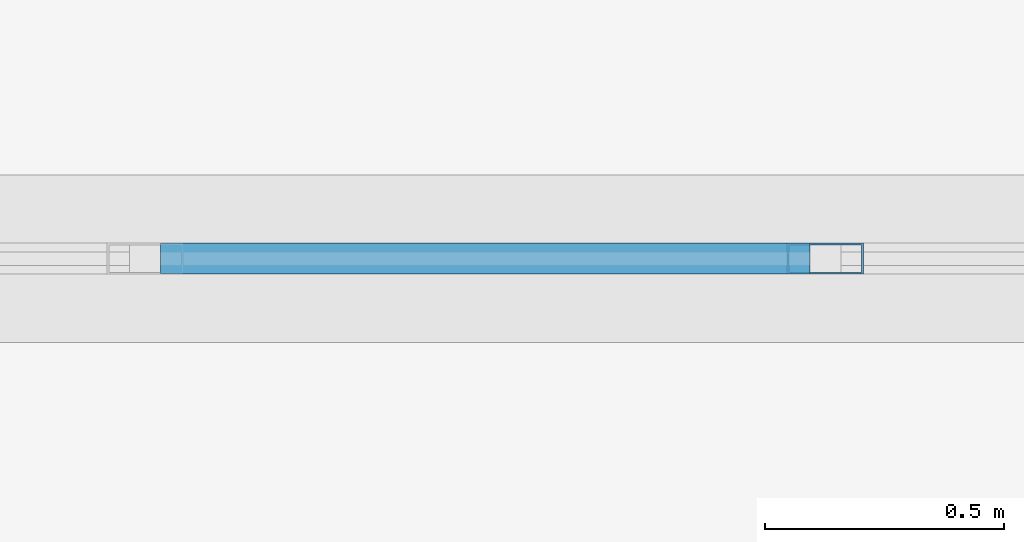
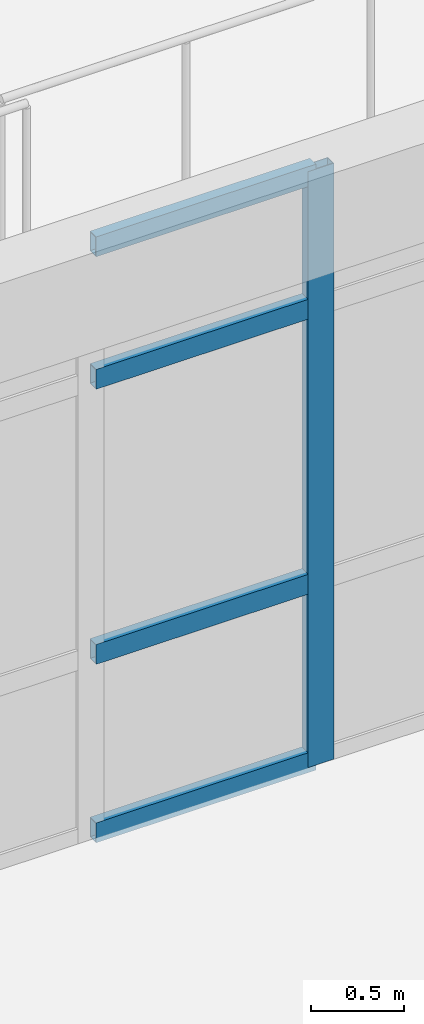
# One storey, part 25 of 83: 5 members, 1 element without a shape of its own.
"""IFC4 building model written with IfcOpenShell, lengths in metres."""

from ifc_helpers import new_model, si_unit, direction, frame, origin, origin_2d, place, context, subcontext, project, spatial, hollow_rectangle, extrude, material, layer, layer_set, material_profile, profile_set, type_object, element, aggregate, save


model = new_model("IFC4")

# Units and contexts
model_context = context("Model", 3, precision=1e-05, world=origin(), true_north=direction((0.0, 1.0)))
body_context = subcontext(model_context, "Body", "Model", "MODEL_VIEW")
ifc_project = project(units=[si_unit("LENGTHUNIT", "METRE"), si_unit("AREAUNIT", "SQUARE_METRE"), si_unit("VOLUMEUNIT", "CUBIC_METRE"), si_unit("PLANEANGLEUNIT", "RADIAN"), si_unit("MASSUNIT", "GRAM", prefix="KILO")], contexts=[model_context])

# Site, building, storey
site_placement = place(None, origin())
site = spatial("IfcSite", under=ifc_project, at=site_placement, CompositionType="ELEMENT")
building_placement = place(site_placement, origin())
building = spatial("IfcBuilding", under=site, at=building_placement, Name="Pandanus Reach Market Hall", CompositionType="ELEMENT")
storey_placement = place(building_placement, frame((0.0, 0.0, 10.199951171875)))
storey = spatial("IfcBuildingStorey", under=building, at=storey_placement, Name="L02", CompositionType="ELEMENT", Elevation=10.199951171875)

# Curtain wall, members
ifc_material_1 = material(Name="Bronze anodised aluminium and low-E glass", Category="aluminium")
ifc_layer = layer(ifc_material_1, 0.159912109375, Name="CW-30")
ifc_layer_set = layer_set([ifc_layer], Name="Bronze anodised aluminium and low-E glass")
curtain_wall_type = type_object("IfcCurtainWallType", Name="CW-30", PredefinedType="NOTDEFINED", material=ifc_layer_set)
curtain_wall_placement = place(storey_placement, origin())
curtain_wall = element("IfcCurtainWall", 1, at=curtain_wall_placement, inside=storey, type_object=curtain_wall_type, Name="Glazed curtain wall CW-30 CW-0100", PredefinedType="NOTDEFINED")
ifc_material_2 = material(Name="Bronze anodised aluminium", Category="aluminium")
ifc_material_profile_1 = material_profile(ifc_material_2, hollow_rectangle(XDim=0.06494140625, YDim=0.159912109375, WallThickness=0.00390625, at=origin_2d()), Name="ALU65x160", Category="LoadBearing")
ifc_profile_set_1 = profile_set([ifc_material_profile_1], Name="Bronze anodised aluminium")
member_type_1 = type_object("IfcMemberType", Name="CW-M1", PredefinedType="MULLION", material=ifc_profile_set_1)
member_1_placement = place(storey_placement, frame((159.14990234375, 19.199951171875, 0.0), z_axis=(0.0, 0.0, 1.0), x_axis=(0.0, 1.0, 0.0)))
member_1 = element("IfcMember", 2, at=member_1_placement, type_object=member_type_1, Name="CW-30 mullion 3", PredefinedType="MULLION", context=body_context, shape_type="SweptSolid", body=[
    extrude(hollow_rectangle(XDim=0.06494140625, YDim=0.159912109375, WallThickness=0.00390625, at=origin_2d()), origin(), (0.0, 0.0, 1.0), 3.900146484375),
])
ifc_material_profile_2 = material_profile(ifc_material_2, hollow_rectangle(XDim=0.06494140625, YDim=0.1298828125, WallThickness=0.00390625, at=origin_2d()), Name="ALU65x130", Category="LoadBearing")
ifc_profile_set_2 = profile_set([ifc_material_profile_2], Name="Bronze anodised aluminium")
member_type_2 = type_object("IfcMemberType", Name="CW-T1", PredefinedType="USERDEFINED", material=ifc_profile_set_2)
member_2_placement = place(storey_placement, frame((157.757568359375, 19.199951171875, 0.032470703125), z_axis=(1.0, 0.0, 0.0), x_axis=(0.0, 1.0, 0.0)))
member_2 = element("IfcMember", 3, at=member_2_placement, type_object=member_type_2, Name="CW-30 transom 2.1", ObjectType="TRANSOM", PredefinedType="USERDEFINED", context=body_context, shape_type="SweptSolid", body=[
    extrude(hollow_rectangle(XDim=0.06494140625, YDim=0.1298828125, WallThickness=0.00390625, at=origin_2d()), origin(), (0.0, 0.0, 1.0), 1.35986328125),
])
member_3_placement = place(storey_placement, frame((157.757568359375, 19.199951171875, 1.199951171875), z_axis=(1.0, 0.0, 0.0), x_axis=(0.0, 1.0, 0.0)))
member_3 = element("IfcMember", 4, at=member_3_placement, type_object=member_type_2, Name="CW-30 transom 2.2", ObjectType="TRANSOM", PredefinedType="USERDEFINED", context=body_context, shape_type="SweptSolid", body=[
    extrude(hollow_rectangle(XDim=0.06494140625, YDim=0.1298828125, WallThickness=0.00390625, at=origin_2d()), origin(), (0.0, 0.0, 1.0), 1.35986328125),
])
member_4_placement = place(storey_placement, frame((157.757568359375, 19.199951171875, 3.0), z_axis=(1.0, 0.0, 0.0), x_axis=(0.0, 1.0, 0.0)))
member_4 = element("IfcMember", 5, at=member_4_placement, type_object=member_type_2, Name="CW-30 transom 2.3", ObjectType="TRANSOM", PredefinedType="USERDEFINED", context=body_context, shape_type="SweptSolid", body=[
    extrude(hollow_rectangle(XDim=0.06494140625, YDim=0.1298828125, WallThickness=0.00390625, at=origin_2d()), origin(), (0.0, 0.0, 1.0), 1.35986328125),
])
member_5_placement = place(storey_placement, frame((157.757568359375, 19.199951171875, 3.867431640625), z_axis=(1.0, 0.0, 0.0), x_axis=(0.0, 1.0, 0.0)))
member_5 = element("IfcMember", 6, at=member_5_placement, type_object=member_type_2, Name="CW-30 transom 2.4", ObjectType="TRANSOM", PredefinedType="USERDEFINED", context=body_context, shape_type="SweptSolid", body=[
    extrude(hollow_rectangle(XDim=0.06494140625, YDim=0.1298828125, WallThickness=0.00390625, at=origin_2d()), origin(), (0.0, 0.0, 1.0), 1.35986328125),
])
aggregate(curtain_wall, [member_1, member_2, member_3, member_4, member_5])

save(model, "model.ifc")
